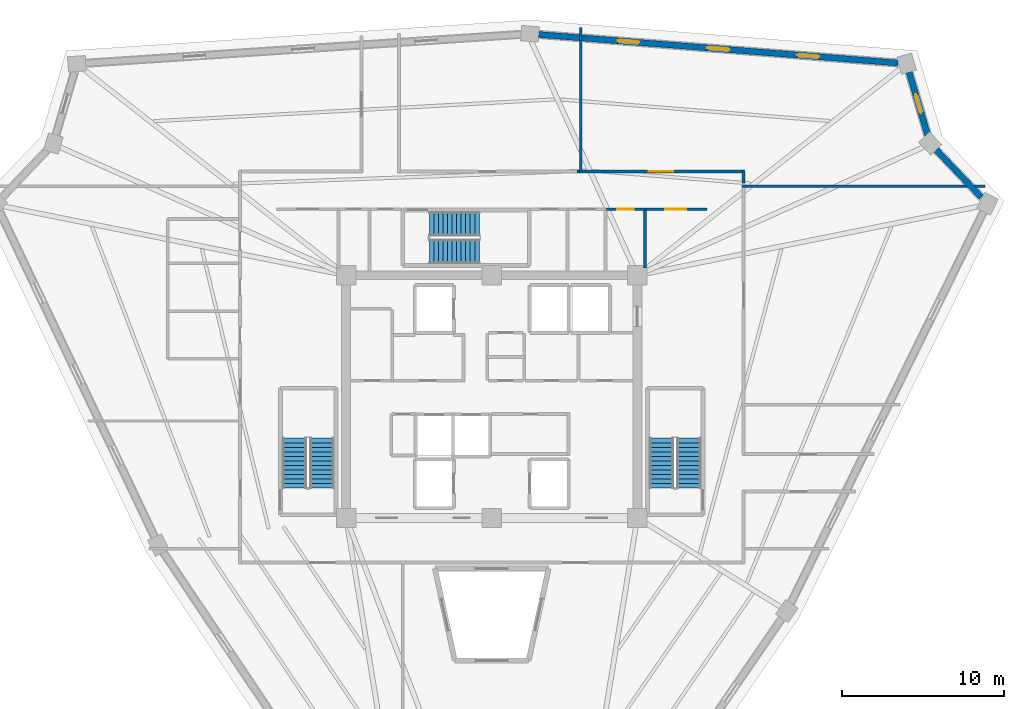
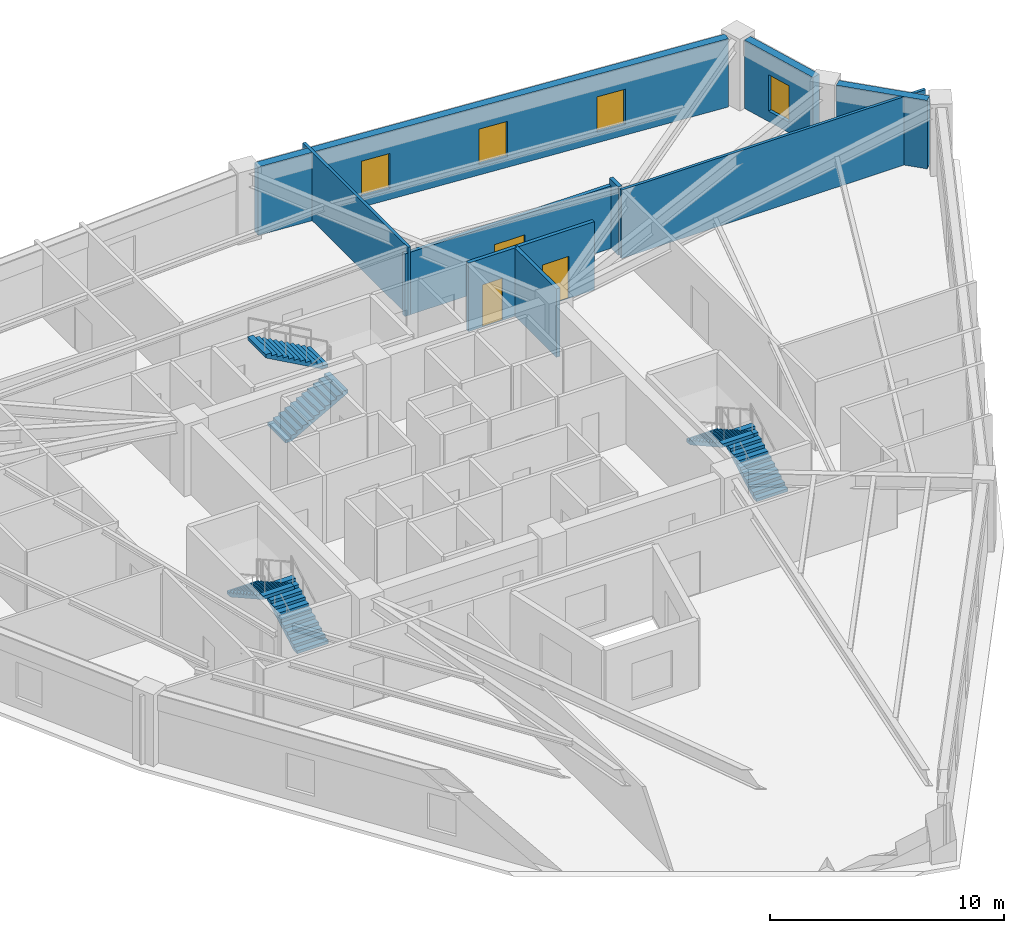
# One storey, part 7 of 8: 10 walls, 6 stair flights, 4 windows, 3 doors, 7 openings, 3 elements without a shape of their own.
"""IFC4 building model written with IfcOpenShell, lengths in metres."""

from ifc_helpers import new_model, si_unit, direction, frame, frame_2d, origin, place, context, subcontext, project, spatial, polyline, rectangle, outline, extrude, source, transform, mapped, material, layer, layer_set, type_object, element, fill, aggregate, save


model = new_model("IFC4")

# Units and contexts
model_context = context("Model", 3, precision=1e-05, world=origin(), true_north=direction((0.0, 1.0)))
body_context = subcontext(model_context, "Body", "Model", "MODEL_VIEW")
ifc_project = project(units=[si_unit("LENGTHUNIT", "METRE"), si_unit("AREAUNIT", "SQUARE_METRE"), si_unit("VOLUMEUNIT", "CUBIC_METRE"), si_unit("PLANEANGLEUNIT", "RADIAN"), si_unit("MASSUNIT", "GRAM", prefix="KILO")], contexts=[model_context])

# Site, building, storey
site_placement = place(None, origin())
site = spatial("IfcSite", under=ifc_project, at=site_placement, CompositionType="ELEMENT")
building_placement = place(site_placement, origin())
building = spatial("IfcBuilding", under=site, at=building_placement, Name="Liaohun Quay Tower", CompositionType="ELEMENT")
storey_placement = place(building_placement, frame((0.0, 0.0, 294.0)))
storey = spatial("IfcBuildingStorey", under=building, at=storey_placement, Name="L76", CompositionType="ELEMENT", Elevation=294.0)

# Wall
ifc_material_1 = material(Name="Precast concrete C50 insulated sandwich", Category="concrete")
ifc_layer_1 = layer(ifc_material_1, 0.3798828125, Name="Precast concrete C50 insulated sandwich", Category="concrete")
ifc_layer_set_1 = layer_set([ifc_layer_1], Name="Precast concrete C50 insulated sandwich")
wall_type_1 = type_object("IfcWallType", Name="WAL-EXT-Z34", PredefinedType="SOLIDWALL", material=ifc_layer_set_1)
wall_1_placement = place(storey_placement, frame((90.264892578125, 66.31396484375, 0.0), z_axis=(0.0, 0.0, 1.0), x_axis=(-0.689378640733, 0.724401193885, 0.0)))
element("IfcWall", 1, at=wall_1_placement, inside=storey, type_object=wall_type_1, Name="L76 Brutalist Precast Pier Wall 04", PredefinedType="SOLIDWALL", context=body_context, shape_type="SweptSolid", body=[
    extrude(rectangle(XDim=4.05712890625, YDim=0.3798828125, at=frame_2d((2.028564453125, 0.0))), origin(), (0.0, 0.0, 1.0), 3.570068359375),
])

# Wall, opening, window
wall_2_placement = place(storey_placement, frame((86.943115234375, 70.162109375, 0.0), z_axis=(0.0, 0.0, 1.0), x_axis=(-0.282780999882, 0.959184500555, 0.0)))
wall_2 = element("IfcWall", 2, at=wall_2_placement, inside=storey, type_object=wall_type_1, Name="L76 Brutalist Precast Pier Wall 05", PredefinedType="SOLIDWALL", context=body_context, shape_type="SweptSolid", body=[
    extrude(rectangle(XDim=4.063720703125, YDim=0.3798828125, at=frame_2d((2.03173828125, 0.0))), origin(), (0.0, 0.0, 1.0), 3.570068359375),
])
shared_shape_1 = source(origin(), body_context, "Body", "SweptSolid", [
    extrude(rectangle(XDim=1.199951171875, YDim=1.89990234375, at=frame_2d((0.60009765625, 0.949951171875))), frame((0.0, 0.199951171875, 0.0), z_axis=(0.0, -1.0, 0.0), x_axis=(1.0, 0.0, 0.0)), (0.0, 0.0, 1.0), 0.39990234375),
])
opening_1_placement = place(wall_2_placement, frame((1.431884765625, 0.0, 0.550048828125)))
opening_1 = element("IfcOpeningElement", 3, at=opening_1_placement, cuts=wall_2, Name="Opening W05", PredefinedType="OPENING", context=body_context, shape_type="MappedRepresentation", body=[
    mapped(shared_shape_1, transform((0.0, 0.0, 0.0), x_axis=(1.0, 0.0, 0.0), y_axis=(0.0, 1.0, 0.0), z_axis=(0.0, 0.0, 1.0), scale=1.0)),
])
ifc_material_2 = material(Name="Triple Low-E corner notch glazing", Category="glass")
window_type_1 = type_object("IfcWindowType", Name="WIN-NOTCH", PartitioningType="SINGLE_PANEL", PredefinedType="WINDOW", material=ifc_material_2)
shared_shape_2 = source(origin(), body_context, "Body", "SweptSolid", [
    extrude(rectangle(XDim=1.199951171875, YDim=1.89990234375, at=frame_2d((0.60009765625, 0.949951171875))), frame((0.0, 0.030029296875, 0.0), z_axis=(0.0, -1.0, 0.0), x_axis=(1.0, 0.0, 0.0)), (0.0, 0.0, 1.0), 0.06005859375),
])
window_1_placement = place(opening_1_placement, origin())
window_1 = element("IfcWindow", 4, at=window_1_placement, inside=storey, type_object=window_type_1, Name="L76 Corner Notch Window W05-05", OverallHeight=1.89990234375, OverallWidth=1.199951171875, PartitioningType="SINGLE_PANEL", PredefinedType="WINDOW", context=body_context, shape_type="MappedRepresentation", body=[
    mapped(shared_shape_2, transform((0.0, 0.0, 0.0), x_axis=(1.0, 0.0, 0.0), y_axis=(0.0, 1.0, 0.0), z_axis=(0.0, 0.0, 1.0), scale=1.0)),
])
fill(opening_1, window_1)

# Wall, openings, windows
wall_3_placement = place(storey_placement, frame((85.10302734375, 74.62109375, 0.0), z_axis=(0.0, 0.0, 1.0), x_axis=(-0.996863155658, 0.079144481122, 0.0)))
wall_3 = element("IfcWall", 5, at=wall_3_placement, inside=storey, type_object=wall_type_1, Name="L76 Brutalist Precast Pier Wall 06", PredefinedType="SOLIDWALL", context=body_context, shape_type="SweptSolid", body=[
    extrude(rectangle(XDim=22.27490234375, YDim=0.3798828125, at=frame_2d((11.137451171875, 0.0))), origin(), (0.0, 0.0, 1.0), 3.570068359375),
])
shared_shape_3 = source(origin(), body_context, "Body", "SweptSolid", [
    extrude(rectangle(XDim=1.35009765625, YDim=1.85009765625, at=frame_2d((0.675048828125, 0.925048828125))), frame((0.0, 0.199951171875, 0.0), z_axis=(0.0, -1.0, 0.0), x_axis=(1.0, 0.0, 0.0)), (0.0, 0.0, 1.0), 0.39990234375),
])
opening_2_placement = place(wall_3_placement, frame((4.89404296875, 0.0, 0.550048828125)))
opening_2 = element("IfcOpeningElement", 6, at=opening_2_placement, cuts=wall_3, Name="Opening W04", PredefinedType="OPENING", context=body_context, shape_type="MappedRepresentation", body=[
    mapped(shared_shape_3, transform((0.0, 0.0, 0.0), x_axis=(1.0, 0.0, 0.0), y_axis=(0.0, 1.0, 0.0), z_axis=(0.0, 0.0, 1.0), scale=1.0)),
])
opening_3_placement = place(wall_3_placement, frame((10.4619140625, 0.0, 0.550048828125)))
opening_3 = element("IfcOpeningElement", 7, at=opening_3_placement, cuts=wall_3, Name="Opening W04", PredefinedType="OPENING", context=body_context, shape_type="MappedRepresentation", body=[
    mapped(shared_shape_3, transform((0.0, 0.0, 0.0), x_axis=(1.0, 0.0, 0.0), y_axis=(0.0, 1.0, 0.0), z_axis=(0.0, 0.0, 1.0), scale=1.0)),
])
opening_4_placement = place(wall_3_placement, frame((16.031005859375, 0.0, 0.550048828125)))
opening_4 = element("IfcOpeningElement", 8, at=opening_4_placement, cuts=wall_3, Name="Opening W04", PredefinedType="OPENING", context=body_context, shape_type="MappedRepresentation", body=[
    mapped(shared_shape_3, transform((0.0, 0.0, 0.0), x_axis=(1.0, 0.0, 0.0), y_axis=(0.0, 1.0, 0.0), z_axis=(0.0, 0.0, 1.0), scale=1.0)),
])
ifc_material_3 = material(Name="Triple Low-E argon glazing in thermally broken aluminium", Category="aluminium")
window_type_2 = type_object("IfcWindowType", Name="WIN-PUN-Z4", PartitioningType="SINGLE_PANEL", PredefinedType="WINDOW", material=ifc_material_3)
shared_shape_4 = source(origin(), body_context, "Body", "SweptSolid", [
    extrude(rectangle(XDim=1.35009765625, YDim=1.85009765625, at=frame_2d((0.675048828125, 0.925048828125))), frame((0.0, 0.030029296875, 0.0), z_axis=(0.0, -1.0, 0.0), x_axis=(1.0, 0.0, 0.0)), (0.0, 0.0, 1.0), 0.06005859375),
])
window_2_placement = place(opening_2_placement, origin())
window_2 = element("IfcWindow", 9, at=window_2_placement, inside=storey, type_object=window_type_2, Name="L76 Recessed Cold-Climate Punched Window 06-1", OverallHeight=1.85009765625, OverallWidth=1.35009765625, PartitioningType="SINGLE_PANEL", PredefinedType="WINDOW", context=body_context, shape_type="MappedRepresentation", body=[
    mapped(shared_shape_4, transform((0.0, 0.0, 0.0), x_axis=(1.0, 0.0, 0.0), y_axis=(0.0, 1.0, 0.0), z_axis=(0.0, 0.0, 1.0), scale=1.0)),
])
fill(opening_2, window_2)
window_3_placement = place(opening_3_placement, origin())
window_3 = element("IfcWindow", 10, at=window_3_placement, inside=storey, type_object=window_type_2, Name="L76 Recessed Cold-Climate Punched Window 06-2", OverallHeight=1.85009765625, OverallWidth=1.35009765625, PartitioningType="SINGLE_PANEL", PredefinedType="WINDOW", context=body_context, shape_type="MappedRepresentation", body=[
    mapped(shared_shape_4, transform((0.0, 0.0, 0.0), x_axis=(1.0, 0.0, 0.0), y_axis=(0.0, 1.0, 0.0), z_axis=(0.0, 0.0, 1.0), scale=1.0)),
])
fill(opening_3, window_3)
window_4_placement = place(opening_4_placement, origin())
window_4 = element("IfcWindow", 11, at=window_4_placement, inside=storey, type_object=window_type_2, Name="L76 Recessed Cold-Climate Punched Window 06-3", OverallHeight=1.85009765625, OverallWidth=1.35009765625, PartitioningType="SINGLE_PANEL", PredefinedType="WINDOW", context=body_context, shape_type="MappedRepresentation", body=[
    mapped(shared_shape_4, transform((0.0, 0.0, 0.0), x_axis=(1.0, 0.0, 0.0), y_axis=(0.0, 1.0, 0.0), z_axis=(0.0, 0.0, 1.0), scale=1.0)),
])
fill(opening_4, window_4)

# Wall, opening, door
ifc_material_4 = material(Name="Autoclaved aerated concrete blockwork", Category="masonry")
ifc_layer_2 = layer(ifc_material_4, 0.179931640625, Name="Autoclaved aerated concrete blockwork", Category="masonry")
ifc_layer_set_2 = layer_set([ifc_layer_2], Name="Autoclaved aerated concrete blockwork")
wall_type_2 = type_object("IfcWallType", Name="WAL-PRT-COR", PredefinedType="PARTITIONING", material=ifc_layer_set_2)
wall_4_placement = place(storey_placement, frame((67.080078125, 65.580078125, 0.0), z_axis=(0.0, 0.0, 1.0), x_axis=(1.0, 0.0, 0.0)))
wall_4 = element("IfcWall", 12, at=wall_4_placement, inside=storey, type_object=wall_type_2, Name="L76 Interior Partition Wall 016", PredefinedType="PARTITIONING", context=body_context, shape_type="SweptSolid", body=[
    extrude(rectangle(XDim=2.3798828125, YDim=0.179931640625, at=frame_2d((1.18994140625, 0.0))), origin(), (0.0, 0.0, 1.0), 3.570068359375),
])
shared_shape_5 = source(origin(), body_context, "Body", "SweptSolid", [
    extrude(rectangle(XDim=1.0, YDim=2.199951171875, at=frame_2d((0.5, 1.10009765625))), frame((0.0, 0.099853515625, 0.0), z_axis=(0.0, -1.0, 0.0), x_axis=(1.0, 0.0, 0.0)), (0.0, 0.0, 1.0), 0.199951171875),
])
opening_5_placement = place(wall_4_placement, frame((0.68994140625, 0.0, 0.0)))
opening_5 = element("IfcOpeningElement", 13, at=opening_5_placement, cuts=wall_4, Name="Opening OD1", PredefinedType="OPENING", context=body_context, shape_type="MappedRepresentation", body=[
    mapped(shared_shape_5, transform((0.0, 0.0, 0.0), x_axis=(1.0, 0.0, 0.0), y_axis=(0.0, 1.0, 0.0), z_axis=(0.0, 0.0, 1.0), scale=1.0)),
])
ifc_material_5 = material(Name="Solid-core oak veneer timber leaf in steel frame", Category="steel")
door_type_1 = type_object("IfcDoorType", Name="DOR-OFF-1000", OperationType="NOTDEFINED", PredefinedType="DOOR", material=ifc_material_5)
shared_shape_6 = source(origin(), body_context, "Body", "SweptSolid", [
    extrude(rectangle(XDim=1.0, YDim=2.199951171875, at=frame_2d((0.5, 1.10009765625))), frame((0.0, 0.02490234375, 0.0), z_axis=(0.0, -1.0, 0.0), x_axis=(1.0, 0.0, 0.0)), (0.0, 0.0, 1.0), 0.050048828125),
])
door_1_placement = place(opening_5_placement, origin())
door_1 = element("IfcDoor", 14, at=door_1_placement, inside=storey, type_object=door_type_1, Name="L76 North-East Cleaner Store Door", OperationType="SINGLE_SWING_RIGHT", OverallHeight=2.199951171875, OverallWidth=1.0, PredefinedType="DOOR", context=body_context, shape_type="MappedRepresentation", body=[
    mapped(shared_shape_6, transform((0.0, 0.0, 0.0), x_axis=(1.0, 0.0, 0.0), y_axis=(0.0, 1.0, 0.0), z_axis=(0.0, 0.0, 1.0), scale=1.0)),
])
fill(opening_5, door_1)

wall_5_placement = place(storey_placement, frame((69.4599609375, 65.580078125, 0.0), z_axis=(0.0, 0.0, 1.0), x_axis=(1.0, 0.0, 0.0)))
wall_5 = element("IfcWall", 15, at=wall_5_placement, inside=storey, type_object=wall_type_2, Name="L76 Interior Partition Wall 018", PredefinedType="PARTITIONING", context=body_context, shape_type="SweptSolid", body=[
    extrude(rectangle(XDim=3.840087890625, YDim=0.179931640625, at=frame_2d((1.919921875, 0.0))), origin(), (0.0, 0.0, 1.0), 3.570068359375),
])
shared_shape_7 = source(origin(), body_context, "Body", "SweptSolid", [
    extrude(rectangle(XDim=1.300048828125, YDim=2.199951171875, at=frame_2d((0.64990234375, 1.10009765625))), frame((0.0, 0.099853515625, 0.0), z_axis=(0.0, -1.0, 0.0), x_axis=(1.0, 0.0, 0.0)), (0.0, 0.0, 1.0), 0.199951171875),
])
opening_6_placement = place(wall_5_placement, frame((1.27001953125, 0.0, 0.0)))
opening_6 = element("IfcOpeningElement", 16, at=opening_6_placement, cuts=wall_5, Name="Opening FD1", PredefinedType="OPENING", context=body_context, shape_type="MappedRepresentation", body=[
    mapped(shared_shape_7, transform((0.0, 0.0, 0.0), x_axis=(1.0, 0.0, 0.0), y_axis=(0.0, 1.0, 0.0), z_axis=(0.0, 0.0, 1.0), scale=1.0)),
])
ifc_material_6 = material(Name="Galvanised steel smokeproof fire door", Category="steel")
door_type_2 = type_object("IfcDoorType", Name="DOR-FFL-1300", OperationType="NOTDEFINED", PredefinedType="DOOR", material=ifc_material_6)
shared_shape_8 = source(origin(), body_context, "Body", "SweptSolid", [
    extrude(rectangle(XDim=1.300048828125, YDim=2.199951171875, at=frame_2d((0.64990234375, 1.10009765625))), frame((0.0, 0.02490234375, 0.0), z_axis=(0.0, -1.0, 0.0), x_axis=(1.0, 0.0, 0.0)), (0.0, 0.0, 1.0), 0.050048828125),
])
door_2_placement = place(opening_6_placement, origin())
door_2 = element("IfcDoor", 17, at=door_2_placement, inside=storey, type_object=door_type_2, Name="L76 East Core Vestibule Door", OperationType="SINGLE_SWING_RIGHT", OverallHeight=2.199951171875, OverallWidth=1.300048828125, PredefinedType="DOOR", context=body_context, shape_type="MappedRepresentation", body=[
    mapped(shared_shape_8, transform((0.0, 0.0, 0.0), x_axis=(1.0, 0.0, 0.0), y_axis=(0.0, 1.0, 0.0), z_axis=(0.0, 0.0, 1.0), scale=1.0)),
])
fill(opening_6, door_2)

wall_6_placement = place(storey_placement, frame((65.284912109375, 67.909912109375, 0.0), z_axis=(0.0, 0.0, 1.0), x_axis=(1.0, 0.0, 0.0)))
wall_6 = element("IfcWall", 18, at=wall_6_placement, inside=storey, type_object=wall_type_2, Name="L76 Interior Partition Wall 020", PredefinedType="PARTITIONING", context=body_context, shape_type="SweptSolid", body=[
    extrude(rectangle(XDim=10.344970703125, YDim=0.179931640625, at=frame_2d((5.17236328125, 0.0))), origin(), (0.0, 0.0, 1.0), 3.260986328125),
])
shared_shape_9 = source(origin(), body_context, "Body", "SweptSolid", [
    extrude(rectangle(XDim=1.5, YDim=2.199951171875, at=frame_2d((0.75, 1.10009765625))), frame((0.0, 0.099853515625, 0.0), z_axis=(0.0, -1.0, 0.0), x_axis=(1.0, 0.0, 0.0)), (0.0, 0.0, 1.0), 0.199951171875),
])
opening_7_placement = place(wall_6_placement, frame((4.422119140625, 0.0, 0.0)))
opening_7 = element("IfcOpeningElement", 19, at=opening_7_placement, cuts=wall_6, Name="Opening OD2", PredefinedType="OPENING", context=body_context, shape_type="MappedRepresentation", body=[
    mapped(shared_shape_9, transform((0.0, 0.0, 0.0), x_axis=(1.0, 0.0, 0.0), y_axis=(0.0, 1.0, 0.0), z_axis=(0.0, 0.0, 1.0), scale=1.0)),
])
ifc_material_7 = material(Name="Acoustic oak veneer double door")
door_type_3 = type_object("IfcDoorType", Name="DOR-OFF-1500", OperationType="DOUBLE_DOOR_SINGLE_SWING", PredefinedType="DOOR", material=ifc_material_7)
shared_shape_10 = source(origin(), body_context, "Body", "SweptSolid", [
    extrude(rectangle(XDim=1.5, YDim=2.199951171875, at=frame_2d((0.75, 1.10009765625))), frame((0.0, 0.02490234375, 0.0), z_axis=(0.0, -1.0, 0.0), x_axis=(1.0, 0.0, 0.0)), (0.0, 0.0, 1.0), 0.050048828125),
])
door_3_placement = place(opening_7_placement, origin())
door_3 = element("IfcDoor", 20, at=door_3_placement, inside=storey, type_object=door_type_3, Name="L76 Occupational Wellness Clinic 02 Door", OperationType="DOUBLE_DOOR_SINGLE_SWING", OverallHeight=2.199951171875, OverallWidth=1.5, PredefinedType="DOOR", context=body_context, shape_type="MappedRepresentation", body=[
    mapped(shared_shape_10, transform((0.0, 0.0, 0.0), x_axis=(1.0, 0.0, 0.0), y_axis=(0.0, 1.0, 0.0), z_axis=(0.0, 0.0, 1.0), scale=1.0)),
])
fill(opening_7, door_3)

# Walls
wall_7_placement = place(storey_placement, frame((69.4599609375, 61.949951171875, 0.0), z_axis=(0.0, 0.0, 1.0), x_axis=(0.0, 1.0, 0.0)))
element("IfcWall", 21, at=wall_7_placement, inside=storey, type_object=wall_type_2, Name="L76 Interior Partition Wall 045", PredefinedType="PARTITIONING", context=body_context, shape_type="SweptSolid", body=[
    extrude(rectangle(XDim=3.630126953125, YDim=0.179931640625, at=frame_2d((1.81494140625, 0.0))), origin(), (0.0, 0.0, 1.0), 3.570068359375),
])
wall_8_placement = place(storey_placement, frame((75.56005859375, 67.97998046875, 0.0), z_axis=(0.0, 0.0, 1.0), x_axis=(0.0, -1.0, 0.0)))
element("IfcWall", 22, at=wall_8_placement, inside=storey, type_object=wall_type_2, Name="L76 Interior Partition Wall 046", PredefinedType="PARTITIONING", context=body_context, shape_type="SweptSolid", body=[
    extrude(rectangle(XDim=0.764892578125, YDim=0.179931640625, at=frame_2d((0.38232421875, 0.0))), origin(), (0.0, 0.0, 1.0), 3.570068359375),
])
ifc_material_8 = material(Name="Gypsum board on twin steel studs", Category="steel")
ifc_layer_3 = layer(ifc_material_8, 0.139892578125, Name="Gypsum board on twin steel studs", Category="steel")
ifc_layer_set_3 = layer_set([ifc_layer_3], Name="Gypsum board on twin steel studs")
wall_type_3 = type_object("IfcWallType", Name="WAL-PRT-OFF", PredefinedType="PARTITIONING", material=ifc_layer_set_3)
wall_9_placement = place(storey_placement, frame((75.4599609375, 67.0, 0.0), z_axis=(0.0, 0.0, 1.0), x_axis=(1.0, 0.0, 0.0)))
element("IfcWall", 23, at=wall_9_placement, inside=storey, type_object=wall_type_3, Name="L76 Interior Partition Wall 060", PredefinedType="PARTITIONING", context=body_context, shape_type="SweptSolid", body=[
    extrude(rectangle(XDim=15.02099609375, YDim=0.139892578125, at=frame_2d((7.510498046875, 0.0))), origin(), (0.0, 0.0, 1.0), 3.570068359375),
])
wall_10_placement = place(storey_placement, frame((65.5, 67.81005859375, 0.0), z_axis=(0.0, 0.0, 1.0), x_axis=(0.0, 1.0, 0.0)))
element("IfcWall", 24, at=wall_10_placement, inside=storey, type_object=wall_type_3, Name="L76 Interior Partition Wall 061", PredefinedType="PARTITIONING", context=body_context, shape_type="SweptSolid", body=[
    extrude(rectangle(XDim=8.9990234375, YDim=0.139892578125, at=frame_2d((4.49951171875, 0.0))), origin(), (0.0, 0.0, 1.0), 3.570068359375),
])

# Stair, stair flights
ifc_material_9 = material(Name="Concrete C45", Category="concrete")
stair_type = type_object("IfcStairType", Name="STR-CORE-OFF", PredefinedType="HALF_TURN_STAIR", material=ifc_material_9)
stair_1_placement = place(storey_placement, origin())
stair_1 = element("IfcStair", 25, at=stair_1_placement, inside=storey, type_object=stair_type, Name="L76 Smokeproof Core Exit Stair ST-1", PredefinedType="HALF_TURN_STAIR")
stair_flight_type = type_object("IfcStairFlightType", Name="FLT-CORE-155", PredefinedType="STRAIGHT", material=ifc_material_9)
stair_flight_1_placement = place(storey_placement, frame((49.5048828125, 48.35009765625, 0.0), z_axis=(0.0, 0.0, 1.0), x_axis=(0.0, 1.0, 0.0)))
stair_flight_1 = element("IfcStairFlight", 26, at=stair_flight_1_placement, type_object=stair_flight_type, Name="ST-1 flight 1", NumberOfRisers=12, NumberOfTreads=11, PredefinedType="STRAIGHT", RiserHeight=0.15625, TreadLength=0.28, context=body_context, shape_type="SweptSolid", body=[
    extrude(outline(polyline([(0.0, 0.0), (0.0, 0.15625), (0.280029296875, 0.15625), (0.280029296875, 0.3125), (0.56005859375, 0.3125), (0.56005859375, 0.46875), (0.840087890625, 0.46875), (0.840087890625, 0.625), (1.1201171875, 0.625), (1.1201171875, 0.78125), (1.39990234375, 0.78125), (1.39990234375, 0.9375), (1.679931640625, 0.9375), (1.679931640625, 1.09375), (1.9599609375, 1.09375), (1.9599609375, 1.25), (2.239990234375, 1.25), (2.239990234375, 1.40625), (2.52001953125, 1.40625), (2.52001953125, 1.5625), (2.800048828125, 1.5625), (2.800048828125, 1.71875), (3.080078125, 1.71875), (3.080078125, 1.875), (3.080078125, 1.547119140625), (0.3076171875, 0.0), (0.0, 0.0)])), frame((0.0, 0.77490234375, 0.0), z_axis=(0.0, -1.0, 0.0), x_axis=(1.0, 0.0, 0.0)), (0.0, 0.0, 1.0), 1.550048828125),
])
stair_flight_2_placement = place(storey_placement, frame((47.81494140625, 51.429931640625, 1.875), z_axis=(0.0, 0.0, 1.0), x_axis=(0.0, -1.0, 0.0)))
stair_flight_2 = element("IfcStairFlight", 27, at=stair_flight_2_placement, type_object=stair_flight_type, Name="ST-1 flight 2", NumberOfRisers=12, NumberOfTreads=11, PredefinedType="STRAIGHT", RiserHeight=0.15625, TreadLength=0.28, context=body_context, shape_type="SweptSolid", body=[
    extrude(outline(polyline([(0.0, 0.0), (0.0, 0.15625), (0.280029296875, 0.15625), (0.280029296875, 0.3125), (0.56005859375, 0.3125), (0.56005859375, 0.46875), (0.840087890625, 0.46875), (0.840087890625, 0.625), (1.1201171875, 0.625), (1.1201171875, 0.78125), (1.39990234375, 0.78125), (1.39990234375, 0.9375), (1.679931640625, 0.9375), (1.679931640625, 1.09375), (1.9599609375, 1.09375), (1.9599609375, 1.25), (2.239990234375, 1.25), (2.239990234375, 1.40625), (2.52001953125, 1.40625), (2.52001953125, 1.5625), (2.800048828125, 1.5625), (2.800048828125, 1.71875), (3.080078125, 1.71875), (3.080078125, 1.875), (3.080078125, 1.547119140625), (0.3076171875, 0.0), (0.0, 0.0)])), frame((0.0, 0.77490234375, 0.0), z_axis=(0.0, -1.0, 0.0), x_axis=(1.0, 0.0, 0.0)), (0.0, 0.0, 1.0), 1.550048828125),
])
aggregate(stair_1, [stair_flight_1, stair_flight_2])

stair_2_placement = place(storey_placement, origin())
stair_2 = element("IfcStair", 28, at=stair_2_placement, inside=storey, type_object=stair_type, Name="L76 Smokeproof Core Exit Stair ST-2", PredefinedType="HALF_TURN_STAIR")
stair_flight_3_placement = place(storey_placement, frame((72.18505859375, 48.35009765625, 0.0), z_axis=(0.0, 0.0, 1.0), x_axis=(0.0, 1.0, 0.0)))
stair_flight_3 = element("IfcStairFlight", 29, at=stair_flight_3_placement, type_object=stair_flight_type, Name="ST-2 flight 1", NumberOfRisers=12, NumberOfTreads=11, PredefinedType="STRAIGHT", RiserHeight=0.15625, TreadLength=0.28, context=body_context, shape_type="SweptSolid", body=[
    extrude(outline(polyline([(0.0, 0.0), (0.0, 0.15625), (0.280029296875, 0.15625), (0.280029296875, 0.3125), (0.56005859375, 0.3125), (0.56005859375, 0.46875), (0.840087890625, 0.46875), (0.840087890625, 0.625), (1.1201171875, 0.625), (1.1201171875, 0.78125), (1.39990234375, 0.78125), (1.39990234375, 0.9375), (1.679931640625, 0.9375), (1.679931640625, 1.09375), (1.9599609375, 1.09375), (1.9599609375, 1.25), (2.239990234375, 1.25), (2.239990234375, 1.40625), (2.52001953125, 1.40625), (2.52001953125, 1.5625), (2.800048828125, 1.5625), (2.800048828125, 1.71875), (3.080078125, 1.71875), (3.080078125, 1.875), (3.080078125, 1.547119140625), (0.3076171875, 0.0), (0.0, 0.0)])), frame((0.0, 0.77490234375, 0.0), z_axis=(0.0, -1.0, 0.0), x_axis=(1.0, 0.0, 0.0)), (0.0, 0.0, 1.0), 1.550048828125),
])
stair_flight_4_placement = place(storey_placement, frame((70.4951171875, 51.429931640625, 1.875), z_axis=(0.0, 0.0, 1.0), x_axis=(0.0, -1.0, 0.0)))
stair_flight_4 = element("IfcStairFlight", 30, at=stair_flight_4_placement, type_object=stair_flight_type, Name="ST-2 flight 2", NumberOfRisers=12, NumberOfTreads=11, PredefinedType="STRAIGHT", RiserHeight=0.15625, TreadLength=0.28, context=body_context, shape_type="SweptSolid", body=[
    extrude(outline(polyline([(0.0, 0.0), (0.0, 0.15625), (0.280029296875, 0.15625), (0.280029296875, 0.3125), (0.56005859375, 0.3125), (0.56005859375, 0.46875), (0.840087890625, 0.46875), (0.840087890625, 0.625), (1.1201171875, 0.625), (1.1201171875, 0.78125), (1.39990234375, 0.78125), (1.39990234375, 0.9375), (1.679931640625, 0.9375), (1.679931640625, 1.09375), (1.9599609375, 1.09375), (1.9599609375, 1.25), (2.239990234375, 1.25), (2.239990234375, 1.40625), (2.52001953125, 1.40625), (2.52001953125, 1.5625), (2.800048828125, 1.5625), (2.800048828125, 1.71875), (3.080078125, 1.71875), (3.080078125, 1.875), (3.080078125, 1.547119140625), (0.3076171875, 0.0), (0.0, 0.0)])), frame((0.0, 0.77490234375, 0.0), z_axis=(0.0, -1.0, 0.0), x_axis=(1.0, 0.0, 0.0)), (0.0, 0.0, 1.0), 1.550048828125),
])
aggregate(stair_2, [stair_flight_3, stair_flight_4])

stair_3_placement = place(storey_placement, origin())
stair_3 = element("IfcStair", 31, at=stair_3_placement, inside=storey, type_object=stair_type, Name="L76 Smokeproof Core Exit Stair ST-3", PredefinedType="HALF_TURN_STAIR")
stair_flight_5_placement = place(storey_placement, frame((56.14990234375, 62.97509765625, 0.0), z_axis=(0.0, 0.0, 1.0), x_axis=(1.0, 0.0, 0.0)))
stair_flight_5 = element("IfcStairFlight", 32, at=stair_flight_5_placement, type_object=stair_flight_type, Name="ST-3 flight 1", NumberOfRisers=12, NumberOfTreads=11, PredefinedType="STRAIGHT", RiserHeight=0.15625, TreadLength=0.28, context=body_context, shape_type="SweptSolid", body=[
    extrude(outline(polyline([(0.0, 0.0), (0.0, 0.15625), (0.280029296875, 0.15625), (0.280029296875, 0.3125), (0.56005859375, 0.3125), (0.56005859375, 0.46875), (0.840087890625, 0.46875), (0.840087890625, 0.625), (1.1201171875, 0.625), (1.1201171875, 0.78125), (1.39990234375, 0.78125), (1.39990234375, 0.9375), (1.679931640625, 0.9375), (1.679931640625, 1.09375), (1.9599609375, 1.09375), (1.9599609375, 1.25), (2.239990234375, 1.25), (2.239990234375, 1.40625), (2.52001953125, 1.40625), (2.52001953125, 1.5625), (2.800048828125, 1.5625), (2.800048828125, 1.71875), (3.080078125, 1.71875), (3.080078125, 1.875), (3.080078125, 1.547119140625), (0.3076171875, 0.0), (0.0, 0.0)])), frame((0.0, 0.77490234375, 0.0), z_axis=(0.0, -1.0, 0.0), x_axis=(1.0, 0.0, 0.0)), (0.0, 0.0, 1.0), 1.550048828125),
])
stair_flight_6_placement = place(storey_placement, frame((59.22998046875, 64.6650390625, 1.875), z_axis=(0.0, 0.0, 1.0), x_axis=(-1.0, 0.0, 0.0)))
stair_flight_6 = element("IfcStairFlight", 33, at=stair_flight_6_placement, type_object=stair_flight_type, Name="ST-3 flight 2", NumberOfRisers=12, NumberOfTreads=11, PredefinedType="STRAIGHT", RiserHeight=0.15625, TreadLength=0.28, context=body_context, shape_type="SweptSolid", body=[
    extrude(outline(polyline([(0.0, 0.0), (0.0, 0.15625), (0.280029296875, 0.15625), (0.280029296875, 0.3125), (0.56005859375, 0.3125), (0.56005859375, 0.46875), (0.840087890625, 0.46875), (0.840087890625, 0.625), (1.1201171875, 0.625), (1.1201171875, 0.78125), (1.39990234375, 0.78125), (1.39990234375, 0.9375), (1.679931640625, 0.9375), (1.679931640625, 1.09375), (1.9599609375, 1.09375), (1.9599609375, 1.25), (2.239990234375, 1.25), (2.239990234375, 1.40625), (2.52001953125, 1.40625), (2.52001953125, 1.5625), (2.800048828125, 1.5625), (2.800048828125, 1.71875), (3.080078125, 1.71875), (3.080078125, 1.875), (3.080078125, 1.547119140625), (0.3076171875, 0.0), (0.0, 0.0)])), frame((0.0, 0.77490234375, 0.0), z_axis=(0.0, -1.0, 0.0), x_axis=(1.0, 0.0, 0.0)), (0.0, 0.0, 1.0), 1.550048828125),
])
aggregate(stair_3, [stair_flight_5, stair_flight_6])

save(model, "model.ifc")
